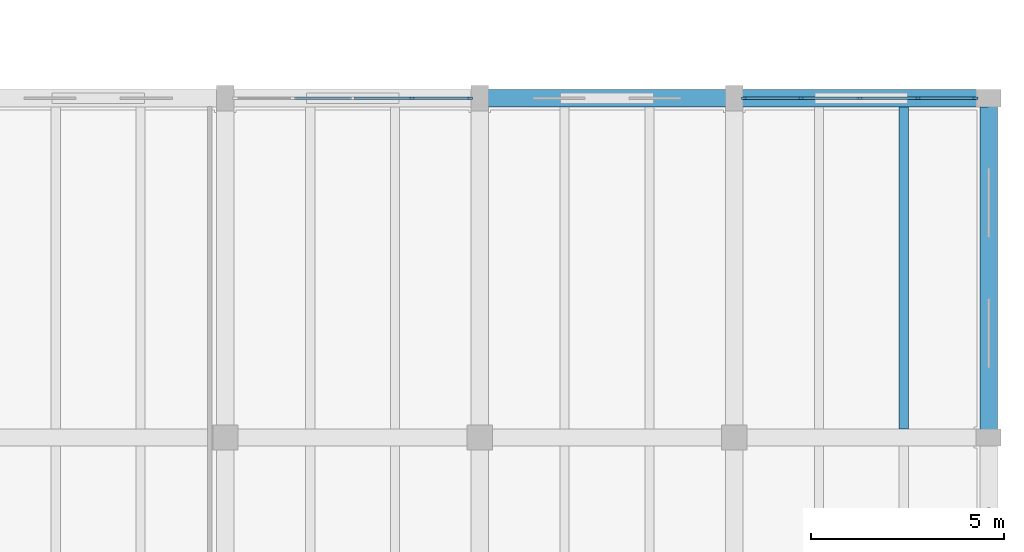
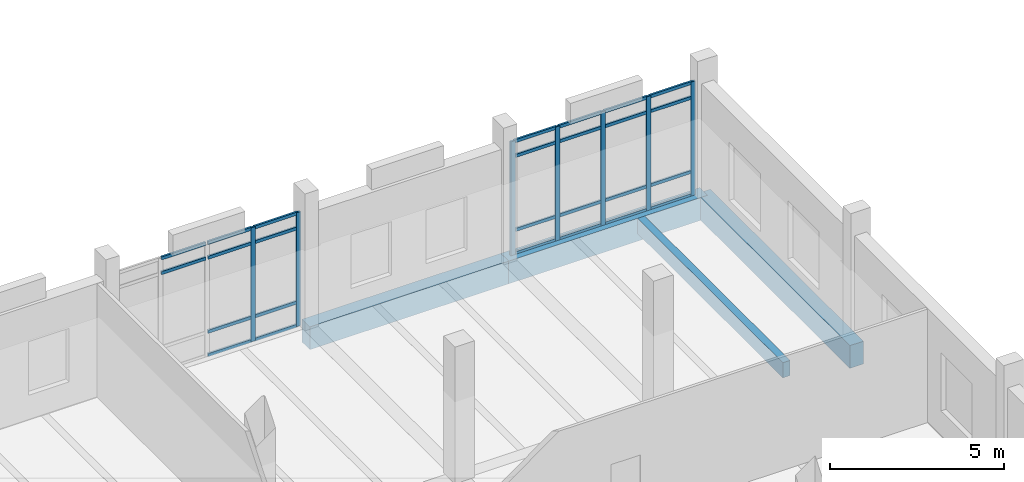
# One storey, part 27 of 76: 33 members, 4 beams, 2 elements without a shape of their own.
"""IFC4 building model written with IfcOpenShell, lengths in metres."""

from ifc_helpers import new_model, si_unit, direction, frame, origin, origin_2d, place, context, subcontext, project, spatial, rectangle, extrude, material, material_profile, profile_set, type_object, element, aggregate, save


model = new_model("IFC4")

# Units and contexts
model_context = context("Model", 3, precision=1e-05, world=origin(), true_north=direction((0.0, 1.0)))
body_context = subcontext(model_context, "Body", "Model", "MODEL_VIEW")
ifc_project = project(units=[si_unit("LENGTHUNIT", "METRE"), si_unit("AREAUNIT", "SQUARE_METRE"), si_unit("VOLUMEUNIT", "CUBIC_METRE"), si_unit("PLANEANGLEUNIT", "RADIAN"), si_unit("MASSUNIT", "GRAM", prefix="KILO")], contexts=[model_context])

# Site, building, storey
site_placement = place(None, origin())
site = spatial("IfcSite", under=ifc_project, at=site_placement, CompositionType="ELEMENT")
building_placement = place(site_placement, origin())
building = spatial("IfcBuilding", under=site, at=building_placement, Name="Dornvale Research Institute", CompositionType="ELEMENT")
storey_placement = place(building_placement, frame((0.0, 0.0, 15.0)))
storey = spatial("IfcBuildingStorey", under=building, at=storey_placement, Name="L03", CompositionType="ELEMENT", Elevation=15.0)

# Beam
ifc_material_1 = material(Name="Concrete f'c 45 MPa (C35/45)", Category="concrete")
ifc_material_profile_1 = material_profile(ifc_material_1, rectangle(XDim=0.239990234375, YDim=0.534912109375, at=origin_2d()), Name="RC 240x535")
ifc_profile_set_1 = profile_set([ifc_material_profile_1], Name="Concrete f'c 45 MPa (C35/45)")
beam_type_1 = type_object("IfcBeamType", Name="Joist_RC240x535_Waffle", PredefinedType="JOIST", material=ifc_profile_set_1)
beam_1_placement = place(storey_placement, frame((176.0, 17.824951171875, -0.267578125), z_axis=(0.0, 1.0, 0.0), x_axis=(-1.0, 0.0, 0.0)))
element("IfcBeam", 1, at=beam_1_placement, inside=storey, type_object=beam_type_1, Name="L03 laboratory waffle joist #552", PredefinedType="JOIST", context=body_context, shape_type="SweptSolid", body=[
    extrude(rectangle(XDim=0.239990234375, YDim=0.534912109375, at=origin_2d()), origin(), (0.0, 0.0, 1.0), 8.35009765625),
])

# Curtain wall, members
ifc_material_2 = material(Name="Low-E Argon Double Insulating Glazing Unit", Category="glass")
curtain_wall_type_1 = type_object("IfcCurtainWallType", Name="UnitisedCurtainWall_V3_6150x4000", PredefinedType="USERDEFINED", material=ifc_material_2)
curtain_wall_1_placement = place(storey_placement, origin())
curtain_wall_1 = element("IfcCurtainWall", 2, at=curtain_wall_1_placement, inside=storey, type_object=curtain_wall_type_1, Name="L03 V3 unitised curtain wall CW-06 #58", ObjectType="UNITISED CURTAIN WALL", PredefinedType="USERDEFINED")
ifc_material_3 = material(Name="Anodized Aluminum AA 6063-T6 Thermally Broken Frame", Category="aluminium")
ifc_material_profile_2 = material_profile(ifc_material_3, rectangle(XDim=0.06494140625, YDim=0.14990234375, at=origin_2d()), Name="ALU MULLION 65x150")
ifc_profile_set_2 = profile_set([ifc_material_profile_2], Name="Anodized Aluminum AA 6063-T6 Thermally Broken Frame")
member_type_1 = type_object("IfcMemberType", Name="Mullion_CW_65x150", PredefinedType="MULLION", material=ifc_profile_set_2)
member_1_placement = place(storey_placement, frame((163.237548828125, 26.39990234375, 0.0), z_axis=(0.0, 0.0, 1.0), x_axis=(0.0, 1.0, 0.0)))
member_1 = element("IfcMember", 3, at=member_1_placement, type_object=member_type_1, Name="CW-06 mullion 4", PredefinedType="MULLION", context=body_context, shape_type="SweptSolid", body=[
    extrude(rectangle(XDim=0.06494140625, YDim=0.14990234375, at=origin_2d()), origin(), (0.0, 0.0, 1.0), 4.0),
])
member_2_placement = place(storey_placement, frame((164.742431640625, 26.39990234375, 0.0), z_axis=(0.0, 0.0, 1.0), x_axis=(0.0, 1.0, 0.0)))
member_2 = element("IfcMember", 4, at=member_2_placement, type_object=member_type_1, Name="CW-06 mullion 5", PredefinedType="MULLION", context=body_context, shape_type="SweptSolid", body=[
    extrude(rectangle(XDim=0.06494140625, YDim=0.14990234375, at=origin_2d()), origin(), (0.0, 0.0, 1.0), 4.0),
])

ifc_material_4 = material(Name="Low-E Argon Double Insulating Glazing Unit", Category="glass")
curtain_wall_type_2 = type_object("IfcCurtainWallType", Name="UnitisedCurtainWall_V3_6050x4000", PredefinedType="USERDEFINED", material=ifc_material_4)
curtain_wall_2_placement = place(storey_placement, origin())
curtain_wall_2 = element("IfcCurtainWall", 5, at=curtain_wall_2_placement, inside=storey, type_object=curtain_wall_type_2, Name="L03 V3 unitised curtain wall CW-07 #59", ObjectType="UNITISED CURTAIN WALL", PredefinedType="USERDEFINED")
member_3_placement = place(storey_placement, frame((171.857421875, 26.39990234375, 0.0), z_axis=(0.0, 0.0, 1.0), x_axis=(0.0, 1.0, 0.0)))
member_3 = element("IfcMember", 6, at=member_3_placement, type_object=member_type_1, Name="CW-07 mullion 1", PredefinedType="MULLION", context=body_context, shape_type="SweptSolid", body=[
    extrude(rectangle(XDim=0.06494140625, YDim=0.14990234375, at=origin_2d()), origin(), (0.0, 0.0, 1.0), 4.0),
])
member_4_placement = place(storey_placement, frame((173.33740234375, 26.39990234375, 0.0), z_axis=(0.0, 0.0, 1.0), x_axis=(0.0, 1.0, 0.0)))
member_4 = element("IfcMember", 7, at=member_4_placement, type_object=member_type_1, Name="CW-07 mullion 2", PredefinedType="MULLION", context=body_context, shape_type="SweptSolid", body=[
    extrude(rectangle(XDim=0.06494140625, YDim=0.14990234375, at=origin_2d()), origin(), (0.0, 0.0, 1.0), 4.0),
])
member_5_placement = place(storey_placement, frame((174.85009765625, 26.39990234375, 0.0), z_axis=(0.0, 0.0, 1.0), x_axis=(0.0, 1.0, 0.0)))
member_5 = element("IfcMember", 8, at=member_5_placement, type_object=member_type_1, Name="CW-07 mullion 3", PredefinedType="MULLION", context=body_context, shape_type="SweptSolid", body=[
    extrude(rectangle(XDim=0.06494140625, YDim=0.14990234375, at=origin_2d()), origin(), (0.0, 0.0, 1.0), 4.0),
])
member_6_placement = place(storey_placement, frame((176.362548828125, 26.39990234375, 0.0), z_axis=(0.0, 0.0, 1.0), x_axis=(0.0, 1.0, 0.0)))
member_6 = element("IfcMember", 9, at=member_6_placement, type_object=member_type_1, Name="CW-07 mullion 4", PredefinedType="MULLION", context=body_context, shape_type="SweptSolid", body=[
    extrude(rectangle(XDim=0.06494140625, YDim=0.14990234375, at=origin_2d()), origin(), (0.0, 0.0, 1.0), 4.0),
])
member_7_placement = place(storey_placement, frame((177.842529296875, 26.39990234375, 0.0), z_axis=(0.0, 0.0, 1.0), x_axis=(0.0, 1.0, 0.0)))
member_7 = element("IfcMember", 10, at=member_7_placement, type_object=member_type_1, Name="CW-07 mullion 5", PredefinedType="MULLION", context=body_context, shape_type="SweptSolid", body=[
    extrude(rectangle(XDim=0.06494140625, YDim=0.14990234375, at=origin_2d()), origin(), (0.0, 0.0, 1.0), 4.0),
])

# Beams
ifc_material_5 = material(Name="Concrete f'c 45 MPa (C35/45)", Category="concrete")
ifc_material_profile_3 = material_profile(ifc_material_5, rectangle(XDim=0.449951171875, YDim=0.800048828125, at=origin_2d()), Name="RC 450x800")
ifc_profile_set_3 = profile_set([ifc_material_profile_3], Name="Concrete f'c 45 MPa (C35/45)")
beam_type_2 = type_object("IfcBeamType", Name="Spandrel_RC450x800_Ext", PredefinedType="SPANDREL", material=ifc_profile_set_3)
beam_2_placement = place(storey_placement, frame((165.0, 26.39990234375, -0.39990234375), z_axis=(1.0, 0.0, 0.0), x_axis=(0.0, 1.0, 0.0)))
element("IfcBeam", 11, at=beam_2_placement, inside=storey, type_object=beam_type_2, Name="L03 perimeter spandrel #1025", PredefinedType="SPANDREL", context=body_context, shape_type="SweptSolid", body=[
    extrude(rectangle(XDim=0.449951171875, YDim=0.800048828125, at=origin_2d()), origin(), (0.0, 0.0, 1.0), 6.60009765625),
])
beam_3_placement = place(storey_placement, frame((171.60009765625, 26.39990234375, -0.39990234375), z_axis=(1.0, 0.0, 0.0), x_axis=(0.0, 1.0, 0.0)))
element("IfcBeam", 12, at=beam_3_placement, inside=storey, type_object=beam_type_2, Name="L03 perimeter spandrel #1026", PredefinedType="SPANDREL", context=body_context, shape_type="SweptSolid", body=[
    extrude(rectangle(XDim=0.449951171875, YDim=0.800048828125, at=origin_2d()), origin(), (0.0, 0.0, 1.0), 6.599853515625),
])
beam_4_placement = place(storey_placement, frame((178.199951171875, 17.60009765625, -0.39990234375), z_axis=(0.0, 1.0, 0.0), x_axis=(-1.0, 0.0, 0.0)))
element("IfcBeam", 13, at=beam_4_placement, inside=storey, type_object=beam_type_2, Name="L03 perimeter spandrel #1063", PredefinedType="SPANDREL", context=body_context, shape_type="SweptSolid", body=[
    extrude(rectangle(XDim=0.449951171875, YDim=0.800048828125, at=origin_2d()), origin(), (0.0, 0.0, 1.0), 8.7998046875),
])

# Member
ifc_material_6 = material(Name="Anodized Aluminum AA 6063-T6 Thermally Broken Frame", Category="aluminium")
ifc_material_profile_4 = material_profile(ifc_material_6, rectangle(XDim=0.06494140625, YDim=0.110107421875, at=origin_2d()), Name="ALU TRANSOM 65x110")
ifc_profile_set_4 = profile_set([ifc_material_profile_4], Name="Anodized Aluminum AA 6063-T6 Thermally Broken Frame")
member_type_2 = type_object("IfcMemberType", Name="Transom_CW_65x110", PredefinedType="USERDEFINED", material=ifc_profile_set_4)
member_8_placement = place(storey_placement, frame((160.195068359375, 26.39990234375, 3.449951171875), z_axis=(1.0, 0.0, 0.0), x_axis=(0.0, 1.0, 0.0)))
member_8 = element("IfcMember", 14, at=member_8_placement, type_object=member_type_2, Name="CW-06 transom 2.3", ObjectType="TRANSOM", PredefinedType="USERDEFINED", context=body_context, shape_type="SweptSolid", body=[
    extrude(rectangle(XDim=0.06494140625, YDim=0.110107421875, at=origin_2d()), origin(), (0.0, 0.0, 1.0), 1.472412109375),
])

member_9_placement = place(storey_placement, frame((160.195068359375, 26.39990234375, 3.967529296875), z_axis=(1.0, 0.0, 0.0), x_axis=(0.0, 1.0, 0.0)))
member_9 = element("IfcMember", 15, at=member_9_placement, type_object=member_type_2, Name="CW-06 transom 2.4", ObjectType="TRANSOM", PredefinedType="USERDEFINED", context=body_context, shape_type="SweptSolid", body=[
    extrude(rectangle(XDim=0.06494140625, YDim=0.110107421875, at=origin_2d()), origin(), (0.0, 0.0, 1.0), 1.472412109375),
])

member_10_placement = place(storey_placement, frame((161.732421875, 26.39990234375, 0.032470703125), z_axis=(1.0, 0.0, 0.0), x_axis=(0.0, 1.0, 0.0)))
member_10 = element("IfcMember", 16, at=member_10_placement, type_object=member_type_2, Name="CW-06 transom 3.1", ObjectType="TRANSOM", PredefinedType="USERDEFINED", context=body_context, shape_type="SweptSolid", body=[
    extrude(rectangle(XDim=0.06494140625, YDim=0.110107421875, at=origin_2d()), origin(), (0.0, 0.0, 1.0), 1.47265625),
])

member_11_placement = place(storey_placement, frame((161.732421875, 26.39990234375, 0.85009765625), z_axis=(1.0, 0.0, 0.0), x_axis=(0.0, 1.0, 0.0)))
member_11 = element("IfcMember", 17, at=member_11_placement, type_object=member_type_2, Name="CW-06 transom 3.2", ObjectType="TRANSOM", PredefinedType="USERDEFINED", context=body_context, shape_type="SweptSolid", body=[
    extrude(rectangle(XDim=0.06494140625, YDim=0.110107421875, at=origin_2d()), origin(), (0.0, 0.0, 1.0), 1.47265625),
])

member_12_placement = place(storey_placement, frame((161.732421875, 26.39990234375, 3.449951171875), z_axis=(1.0, 0.0, 0.0), x_axis=(0.0, 1.0, 0.0)))
member_12 = element("IfcMember", 18, at=member_12_placement, type_object=member_type_2, Name="CW-06 transom 3.3", ObjectType="TRANSOM", PredefinedType="USERDEFINED", context=body_context, shape_type="SweptSolid", body=[
    extrude(rectangle(XDim=0.06494140625, YDim=0.110107421875, at=origin_2d()), origin(), (0.0, 0.0, 1.0), 1.47265625),
])

member_13_placement = place(storey_placement, frame((161.732421875, 26.39990234375, 3.967529296875), z_axis=(1.0, 0.0, 0.0), x_axis=(0.0, 1.0, 0.0)))
member_13 = element("IfcMember", 19, at=member_13_placement, type_object=member_type_2, Name="CW-06 transom 3.4", ObjectType="TRANSOM", PredefinedType="USERDEFINED", context=body_context, shape_type="SweptSolid", body=[
    extrude(rectangle(XDim=0.06494140625, YDim=0.110107421875, at=origin_2d()), origin(), (0.0, 0.0, 1.0), 1.47265625),
])

member_14_placement = place(storey_placement, frame((163.27001953125, 26.39990234375, 0.032470703125), z_axis=(1.0, 0.0, 0.0), x_axis=(0.0, 1.0, 0.0)))
member_14 = element("IfcMember", 20, at=member_14_placement, type_object=member_type_2, Name="CW-06 transom 4.1", ObjectType="TRANSOM", PredefinedType="USERDEFINED", context=body_context, shape_type="SweptSolid", body=[
    extrude(rectangle(XDim=0.06494140625, YDim=0.110107421875, at=origin_2d()), origin(), (0.0, 0.0, 1.0), 1.43994140625),
])

member_15_placement = place(storey_placement, frame((163.27001953125, 26.39990234375, 0.85009765625), z_axis=(1.0, 0.0, 0.0), x_axis=(0.0, 1.0, 0.0)))
member_15 = element("IfcMember", 21, at=member_15_placement, type_object=member_type_2, Name="CW-06 transom 4.2", ObjectType="TRANSOM", PredefinedType="USERDEFINED", context=body_context, shape_type="SweptSolid", body=[
    extrude(rectangle(XDim=0.06494140625, YDim=0.110107421875, at=origin_2d()), origin(), (0.0, 0.0, 1.0), 1.43994140625),
])

member_16_placement = place(storey_placement, frame((163.27001953125, 26.39990234375, 3.449951171875), z_axis=(1.0, 0.0, 0.0), x_axis=(0.0, 1.0, 0.0)))
member_16 = element("IfcMember", 22, at=member_16_placement, type_object=member_type_2, Name="CW-06 transom 4.3", ObjectType="TRANSOM", PredefinedType="USERDEFINED", context=body_context, shape_type="SweptSolid", body=[
    extrude(rectangle(XDim=0.06494140625, YDim=0.110107421875, at=origin_2d()), origin(), (0.0, 0.0, 1.0), 1.43994140625),
])

member_17_placement = place(storey_placement, frame((163.27001953125, 26.39990234375, 3.967529296875), z_axis=(1.0, 0.0, 0.0), x_axis=(0.0, 1.0, 0.0)))
member_17 = element("IfcMember", 23, at=member_17_placement, type_object=member_type_2, Name="CW-06 transom 4.4", ObjectType="TRANSOM", PredefinedType="USERDEFINED", context=body_context, shape_type="SweptSolid", body=[
    extrude(rectangle(XDim=0.06494140625, YDim=0.110107421875, at=origin_2d()), origin(), (0.0, 0.0, 1.0), 1.43994140625),
])

aggregate(curtain_wall_1, [member_1, member_2, member_8, member_9, member_10, member_11, member_12, member_13, member_14, member_15, member_16, member_17])

member_18_placement = place(storey_placement, frame((171.889892578125, 26.39990234375, 0.032470703125), z_axis=(1.0, 0.0, 0.0), x_axis=(0.0, 1.0, 0.0)))
member_18 = element("IfcMember", 24, at=member_18_placement, type_object=member_type_2, Name="CW-07 transom 1.1", ObjectType="TRANSOM", PredefinedType="USERDEFINED", context=body_context, shape_type="SweptSolid", body=[
    extrude(rectangle(XDim=0.06494140625, YDim=0.110107421875, at=origin_2d()), origin(), (0.0, 0.0, 1.0), 1.4150390625),
])

member_19_placement = place(storey_placement, frame((171.889892578125, 26.39990234375, 0.85009765625), z_axis=(1.0, 0.0, 0.0), x_axis=(0.0, 1.0, 0.0)))
member_19 = element("IfcMember", 25, at=member_19_placement, type_object=member_type_2, Name="CW-07 transom 1.2", ObjectType="TRANSOM", PredefinedType="USERDEFINED", context=body_context, shape_type="SweptSolid", body=[
    extrude(rectangle(XDim=0.06494140625, YDim=0.110107421875, at=origin_2d()), origin(), (0.0, 0.0, 1.0), 1.4150390625),
])

member_20_placement = place(storey_placement, frame((171.889892578125, 26.39990234375, 3.449951171875), z_axis=(1.0, 0.0, 0.0), x_axis=(0.0, 1.0, 0.0)))
member_20 = element("IfcMember", 26, at=member_20_placement, type_object=member_type_2, Name="CW-07 transom 1.3", ObjectType="TRANSOM", PredefinedType="USERDEFINED", context=body_context, shape_type="SweptSolid", body=[
    extrude(rectangle(XDim=0.06494140625, YDim=0.110107421875, at=origin_2d()), origin(), (0.0, 0.0, 1.0), 1.4150390625),
])

member_21_placement = place(storey_placement, frame((171.889892578125, 26.39990234375, 3.967529296875), z_axis=(1.0, 0.0, 0.0), x_axis=(0.0, 1.0, 0.0)))
member_21 = element("IfcMember", 27, at=member_21_placement, type_object=member_type_2, Name="CW-07 transom 1.4", ObjectType="TRANSOM", PredefinedType="USERDEFINED", context=body_context, shape_type="SweptSolid", body=[
    extrude(rectangle(XDim=0.06494140625, YDim=0.110107421875, at=origin_2d()), origin(), (0.0, 0.0, 1.0), 1.4150390625),
])

member_22_placement = place(storey_placement, frame((173.3701171875, 26.39990234375, 0.032470703125), z_axis=(1.0, 0.0, 0.0), x_axis=(0.0, 1.0, 0.0)))
member_22 = element("IfcMember", 28, at=member_22_placement, type_object=member_type_2, Name="CW-07 transom 2.1", ObjectType="TRANSOM", PredefinedType="USERDEFINED", context=body_context, shape_type="SweptSolid", body=[
    extrude(rectangle(XDim=0.06494140625, YDim=0.110107421875, at=origin_2d()), origin(), (0.0, 0.0, 1.0), 1.447265625),
])

member_23_placement = place(storey_placement, frame((173.3701171875, 26.39990234375, 0.85009765625), z_axis=(1.0, 0.0, 0.0), x_axis=(0.0, 1.0, 0.0)))
member_23 = element("IfcMember", 29, at=member_23_placement, type_object=member_type_2, Name="CW-07 transom 2.2", ObjectType="TRANSOM", PredefinedType="USERDEFINED", context=body_context, shape_type="SweptSolid", body=[
    extrude(rectangle(XDim=0.06494140625, YDim=0.110107421875, at=origin_2d()), origin(), (0.0, 0.0, 1.0), 1.447265625),
])

member_24_placement = place(storey_placement, frame((173.3701171875, 26.39990234375, 3.449951171875), z_axis=(1.0, 0.0, 0.0), x_axis=(0.0, 1.0, 0.0)))
member_24 = element("IfcMember", 30, at=member_24_placement, type_object=member_type_2, Name="CW-07 transom 2.3", ObjectType="TRANSOM", PredefinedType="USERDEFINED", context=body_context, shape_type="SweptSolid", body=[
    extrude(rectangle(XDim=0.06494140625, YDim=0.110107421875, at=origin_2d()), origin(), (0.0, 0.0, 1.0), 1.447265625),
])

member_25_placement = place(storey_placement, frame((173.3701171875, 26.39990234375, 3.967529296875), z_axis=(1.0, 0.0, 0.0), x_axis=(0.0, 1.0, 0.0)))
member_25 = element("IfcMember", 31, at=member_25_placement, type_object=member_type_2, Name="CW-07 transom 2.4", ObjectType="TRANSOM", PredefinedType="USERDEFINED", context=body_context, shape_type="SweptSolid", body=[
    extrude(rectangle(XDim=0.06494140625, YDim=0.110107421875, at=origin_2d()), origin(), (0.0, 0.0, 1.0), 1.447265625),
])

member_26_placement = place(storey_placement, frame((174.882568359375, 26.39990234375, 0.032470703125), z_axis=(1.0, 0.0, 0.0), x_axis=(0.0, 1.0, 0.0)))
member_26 = element("IfcMember", 32, at=member_26_placement, type_object=member_type_2, Name="CW-07 transom 3.1", ObjectType="TRANSOM", PredefinedType="USERDEFINED", context=body_context, shape_type="SweptSolid", body=[
    extrude(rectangle(XDim=0.06494140625, YDim=0.110107421875, at=origin_2d()), origin(), (0.0, 0.0, 1.0), 1.447509765625),
])

member_27_placement = place(storey_placement, frame((174.882568359375, 26.39990234375, 0.85009765625), z_axis=(1.0, 0.0, 0.0), x_axis=(0.0, 1.0, 0.0)))
member_27 = element("IfcMember", 33, at=member_27_placement, type_object=member_type_2, Name="CW-07 transom 3.2", ObjectType="TRANSOM", PredefinedType="USERDEFINED", context=body_context, shape_type="SweptSolid", body=[
    extrude(rectangle(XDim=0.06494140625, YDim=0.110107421875, at=origin_2d()), origin(), (0.0, 0.0, 1.0), 1.447509765625),
])

member_28_placement = place(storey_placement, frame((174.882568359375, 26.39990234375, 3.449951171875), z_axis=(1.0, 0.0, 0.0), x_axis=(0.0, 1.0, 0.0)))
member_28 = element("IfcMember", 34, at=member_28_placement, type_object=member_type_2, Name="CW-07 transom 3.3", ObjectType="TRANSOM", PredefinedType="USERDEFINED", context=body_context, shape_type="SweptSolid", body=[
    extrude(rectangle(XDim=0.06494140625, YDim=0.110107421875, at=origin_2d()), origin(), (0.0, 0.0, 1.0), 1.447509765625),
])

member_29_placement = place(storey_placement, frame((174.882568359375, 26.39990234375, 3.967529296875), z_axis=(1.0, 0.0, 0.0), x_axis=(0.0, 1.0, 0.0)))
member_29 = element("IfcMember", 35, at=member_29_placement, type_object=member_type_2, Name="CW-07 transom 3.4", ObjectType="TRANSOM", PredefinedType="USERDEFINED", context=body_context, shape_type="SweptSolid", body=[
    extrude(rectangle(XDim=0.06494140625, YDim=0.110107421875, at=origin_2d()), origin(), (0.0, 0.0, 1.0), 1.447509765625),
])

member_30_placement = place(storey_placement, frame((176.39501953125, 26.39990234375, 0.032470703125), z_axis=(1.0, 0.0, 0.0), x_axis=(0.0, 1.0, 0.0)))
member_30 = element("IfcMember", 36, at=member_30_placement, type_object=member_type_2, Name="CW-07 transom 4.1", ObjectType="TRANSOM", PredefinedType="USERDEFINED", context=body_context, shape_type="SweptSolid", body=[
    extrude(rectangle(XDim=0.06494140625, YDim=0.110107421875, at=origin_2d()), origin(), (0.0, 0.0, 1.0), 1.4150390625),
])

member_31_placement = place(storey_placement, frame((176.39501953125, 26.39990234375, 0.85009765625), z_axis=(1.0, 0.0, 0.0), x_axis=(0.0, 1.0, 0.0)))
member_31 = element("IfcMember", 37, at=member_31_placement, type_object=member_type_2, Name="CW-07 transom 4.2", ObjectType="TRANSOM", PredefinedType="USERDEFINED", context=body_context, shape_type="SweptSolid", body=[
    extrude(rectangle(XDim=0.06494140625, YDim=0.110107421875, at=origin_2d()), origin(), (0.0, 0.0, 1.0), 1.4150390625),
])

member_32_placement = place(storey_placement, frame((176.39501953125, 26.39990234375, 3.449951171875), z_axis=(1.0, 0.0, 0.0), x_axis=(0.0, 1.0, 0.0)))
member_32 = element("IfcMember", 38, at=member_32_placement, type_object=member_type_2, Name="CW-07 transom 4.3", ObjectType="TRANSOM", PredefinedType="USERDEFINED", context=body_context, shape_type="SweptSolid", body=[
    extrude(rectangle(XDim=0.06494140625, YDim=0.110107421875, at=origin_2d()), origin(), (0.0, 0.0, 1.0), 1.4150390625),
])

member_33_placement = place(storey_placement, frame((176.39501953125, 26.39990234375, 3.967529296875), z_axis=(1.0, 0.0, 0.0), x_axis=(0.0, 1.0, 0.0)))
member_33 = element("IfcMember", 39, at=member_33_placement, type_object=member_type_2, Name="CW-07 transom 4.4", ObjectType="TRANSOM", PredefinedType="USERDEFINED", context=body_context, shape_type="SweptSolid", body=[
    extrude(rectangle(XDim=0.06494140625, YDim=0.110107421875, at=origin_2d()), origin(), (0.0, 0.0, 1.0), 1.4150390625),
])

aggregate(curtain_wall_2, [member_3, member_4, member_5, member_6, member_7, member_18, member_19, member_20, member_21, member_22, member_23, member_24, member_25, member_26, member_27, member_28, member_29, member_30, member_31, member_32, member_33])

save(model, "model.ifc")
